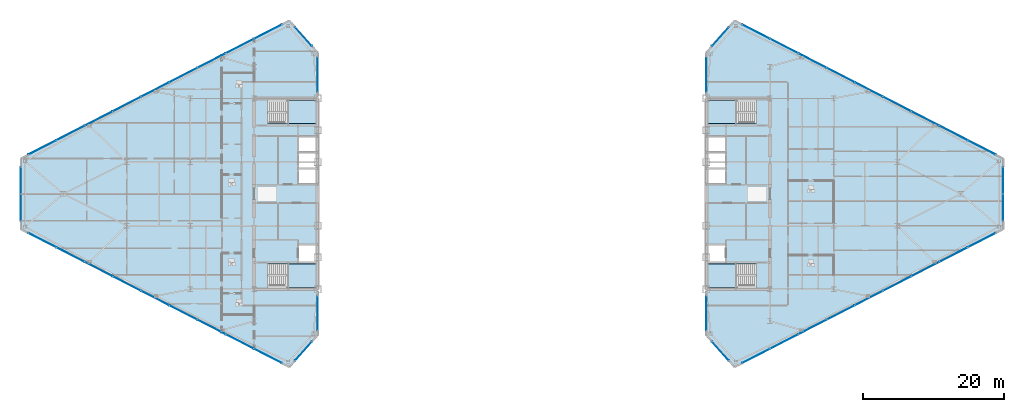
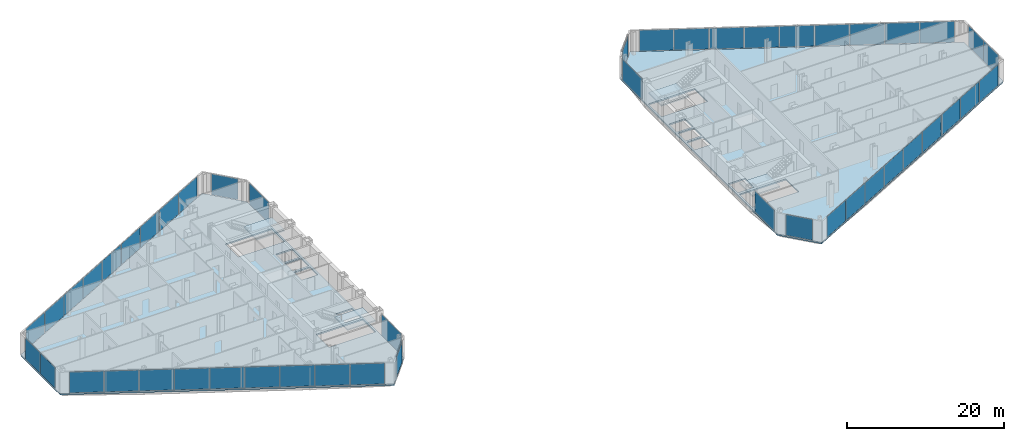
# One storey, part 14 of 23: 48 plates, 6 slabs, 18 elements without a shape of their own.
"""IFC4 building model written with IfcOpenShell, lengths in metres."""

from ifc_helpers import new_model, si_unit, direction, frame, origin, origin_2d, place, context, subcontext, project, spatial, polyline, rectangle, outline, extrude, source, transform, mapped, material, layer, layer_set, type_object, type_shapes, element, aggregate, save


model = new_model("IFC4")

# Units and contexts
model_context = context("Model", 3, precision=1e-05, world=origin(), true_north=direction((0.0, 1.0)))
body_context = subcontext(model_context, "Body", "Model", "MODEL_VIEW")
ifc_project = project(units=[si_unit("LENGTHUNIT", "METRE"), si_unit("AREAUNIT", "SQUARE_METRE"), si_unit("VOLUMEUNIT", "CUBIC_METRE"), si_unit("PLANEANGLEUNIT", "RADIAN"), si_unit("MASSUNIT", "GRAM", prefix="KILO")], contexts=[model_context])

# Site, building, storey
site_placement = place(None, origin())
site = spatial("IfcSite", under=ifc_project, at=site_placement, CompositionType="ELEMENT")
building_placement = place(site_placement, origin())
building = spatial("IfcBuilding", under=site, at=building_placement, Name="Seokmaru Belvedere", CompositionType="ELEMENT")
storey_placement = place(building_placement, frame((0.0, 0.0, 144.0)))
storey = spatial("IfcBuildingStorey", under=building, at=storey_placement, Name="L38", CompositionType="ELEMENT", Elevation=144.0)

# Stair, slab
ifc_material_1 = material(Name="Concrete C40 (40 MPa)", Category="concrete")
stair_type = type_object("IfcStairType", Name="Typical Tower Core Dog-Leg Stair 3600", PredefinedType="TWO_STRAIGHT_RUN_STAIR", material=ifc_material_1)
stair_1_placement = place(storey_placement, origin())
stair_1 = element("IfcStair", 1, at=stair_1_placement, inside=storey, type_object=stair_type, Name="L38 Special Escape Stair ST-W1", PredefinedType="TWO_STRAIGHT_RUN_STAIR")
ifc_layer_1 = layer(ifc_material_1, 0.199951171875)
ifc_layer_set_1 = layer_set([ifc_layer_1], Name="Concrete C40 (40 MPa)")
slab_type_1 = type_object("IfcSlabType", Name="Reinforced Concrete Stair Landing Slab 200", PredefinedType="LANDING", material=ifc_layer_set_1)
slab_1_placement = place(storey_placement, frame((0.0, 0.0, 1.60009765625)))
slab_1 = element("IfcSlab", 2, at=slab_1_placement, type_object=slab_type_1, Name="ST-W1 landing 1", PredefinedType="LANDING", context=body_context, shape_type="SweptSolid", body=[
    extrude(outline(polyline([(-31.8798828125, -13.239990234375), (-27.760009765625, -13.239990234375), (-27.760009765625, -9.949951171875), (-31.8798828125, -9.949951171875), (-31.8798828125, -13.239990234375)])), origin(), (0.0, 0.0, 1.0), 0.199951171875),
])
aggregate(stair_1, [slab_1])

stair_2_placement = place(storey_placement, origin())
stair_2 = element("IfcStair", 3, at=stair_2_placement, inside=storey, type_object=stair_type, Name="L38 Special Escape Stair ST-W2", PredefinedType="TWO_STRAIGHT_RUN_STAIR")
slab_2_placement = place(storey_placement, frame((0.0, 0.0, 1.60009765625)))
slab_2 = element("IfcSlab", 4, at=slab_2_placement, type_object=slab_type_1, Name="ST-W2 landing 1", PredefinedType="LANDING", context=body_context, shape_type="SweptSolid", body=[
    extrude(outline(polyline([(-31.8798828125, 9.949951171875), (-27.760009765625, 9.949951171875), (-27.760009765625, 13.239990234375), (-31.8798828125, 13.239990234375), (-31.8798828125, 9.949951171875)])), origin(), (0.0, 0.0, 1.0), 0.199951171875),
])
aggregate(stair_2, [slab_2])

stair_3_placement = place(storey_placement, origin())
stair_3 = element("IfcStair", 5, at=stair_3_placement, inside=storey, type_object=stair_type, Name="L38 Special Escape Stair ST-E1", PredefinedType="TWO_STRAIGHT_RUN_STAIR")
slab_3_placement = place(storey_placement, frame((0.0, 0.0, 1.60009765625)))
slab_3 = element("IfcSlab", 6, at=slab_3_placement, type_object=slab_type_1, Name="ST-E1 landing 1", PredefinedType="LANDING", context=body_context, shape_type="SweptSolid", body=[
    extrude(outline(polyline([(27.760009765625, -13.239990234375), (31.8798828125, -13.239990234375), (31.8798828125, -9.949951171875), (27.760009765625, -9.949951171875), (27.760009765625, -13.239990234375)])), origin(), (0.0, 0.0, 1.0), 0.199951171875),
])
aggregate(stair_3, [slab_3])

stair_4_placement = place(storey_placement, origin())
stair_4 = element("IfcStair", 7, at=stair_4_placement, inside=storey, type_object=stair_type, Name="L38 Special Escape Stair ST-E2", PredefinedType="TWO_STRAIGHT_RUN_STAIR")
slab_4_placement = place(storey_placement, frame((0.0, 0.0, 1.60009765625)))
slab_4 = element("IfcSlab", 8, at=slab_4_placement, type_object=slab_type_1, Name="ST-E2 landing 1", PredefinedType="LANDING", context=body_context, shape_type="SweptSolid", body=[
    extrude(outline(polyline([(27.760009765625, 9.949951171875), (31.8798828125, 9.949951171875), (31.8798828125, 13.239990234375), (27.760009765625, 13.239990234375), (27.760009765625, 9.949951171875)])), origin(), (0.0, 0.0, 1.0), 0.199951171875),
])
aggregate(stair_4, [slab_4])

# Slabs
ifc_layer_2 = layer(ifc_material_1, 0.219970703125)
ifc_layer_set_2 = layer_set([ifc_layer_2], Name="Concrete C40 (40 MPa)")
slab_type_2 = type_object("IfcSlabType", Name="Typical Tower Composite Floor Slab 220", PredefinedType="FLOOR", material=ifc_layer_set_2)
slab_5_placement = place(storey_placement, frame((0.0, 0.0, -0.219970703125)))
element("IfcSlab", 9, at=slab_5_placement, inside=storey, type_object=slab_type_2, Name="L38 West Leg Floor Slab", PredefinedType="FLOOR", context=body_context, shape_type="SweptSolid", body=[
    extrude(outline(polyline([(-27.5, -20.0), (-27.5, 20.0), (-31.5, 24.5), (-69.5, 5.0), (-69.5, -5.0), (-31.5, -24.5), (-27.5, -20.0)]), holes=[polyline([(-34.60009765625, -13.25), (-27.75, -13.25), (-27.75, -9.949951171875), (-34.60009765625, -9.949951171875), (-34.60009765625, -13.25)]), polyline([(-34.60009765625, 9.949951171875), (-27.75, 9.949951171875), (-27.75, 13.25), (-34.60009765625, 13.25), (-34.60009765625, 9.949951171875)]), polyline([(-30.14990234375, -9.550048828125), (-27.75, -9.550048828125), (-27.75, -7.25), (-30.14990234375, -7.25), (-30.14990234375, -9.550048828125)]), polyline([(-30.14990234375, 1.449951171875), (-27.75, 1.449951171875), (-27.75, 3.449951171875), (-30.14990234375, 3.449951171875), (-30.14990234375, 1.449951171875)]), polyline([(-30.14990234375, 3.75), (-27.75, 3.75), (-27.75, 5.75), (-30.14990234375, 5.75), (-30.14990234375, 3.75)]), polyline([(-30.14990234375, 6.050048828125), (-27.75, 6.050048828125), (-27.75, 8.050048828125), (-30.14990234375, 8.050048828125), (-30.14990234375, 6.050048828125)])]), origin(), (0.0, 0.0, 1.0), 0.219970703125),
])
slab_6_placement = place(storey_placement, frame((0.0, 0.0, -0.219970703125)))
element("IfcSlab", 10, at=slab_6_placement, inside=storey, type_object=slab_type_2, Name="L38 East Leg Floor Slab", PredefinedType="FLOOR", context=body_context, shape_type="SweptSolid", body=[
    extrude(outline(polyline([(31.5, -24.5), (69.5, -5.0), (69.5, 5.0), (31.5, 24.5), (27.5, 20.0), (27.5, -20.0), (31.5, -24.5)]), holes=[polyline([(27.75, -13.25), (34.60009765625, -13.25), (34.60009765625, -9.949951171875), (27.75, -9.949951171875), (27.75, -13.25)]), polyline([(27.75, 9.949951171875), (34.60009765625, 9.949951171875), (34.60009765625, 13.25), (27.75, 13.25), (27.75, 9.949951171875)]), polyline([(27.75, -9.550048828125), (30.14990234375, -9.550048828125), (30.14990234375, -7.25), (27.75, -7.25), (27.75, -9.550048828125)]), polyline([(27.75, 1.449951171875), (30.14990234375, 1.449951171875), (30.14990234375, 3.449951171875), (27.75, 3.449951171875), (27.75, 1.449951171875)]), polyline([(27.75, 3.75), (30.14990234375, 3.75), (30.14990234375, 5.75), (27.75, 5.75), (27.75, 3.75)]), polyline([(27.75, 6.050048828125), (30.14990234375, 6.050048828125), (30.14990234375, 8.050048828125), (27.75, 8.050048828125), (27.75, 6.050048828125)])]), origin(), (0.0, 0.0, 1.0), 0.219970703125),
])

# Curtain wall, plate
ifc_material_2 = material(Name="Bronze Triple Insulating Glass", Category="glass")
ifc_layer_3 = layer(ifc_material_2, 0.195068359375)
ifc_layer_set_3 = layer_set([ifc_layer_3], Name="Bronze Triple Insulating Glass")
curtain_wall_type = type_object("IfcCurtainWallType", Name="Sky-Lobby and Mid-Rise Curtain Wall System CW-4", PredefinedType="NOTDEFINED", material=ifc_layer_set_3)
curtain_wall_1_placement = place(storey_placement, origin())
curtain_wall_1 = element("IfcCurtainWall", 11, at=curtain_wall_1_placement, inside=storey, type_object=curtain_wall_type, Name="L38 Curtain Wall WF2", PredefinedType="NOTDEFINED")
ifc_layer_4 = layer(ifc_material_2, 0.035888671875)
ifc_layer_set_4 = layer_set([ifc_layer_4], Name="Bronze Triple Insulating Glass")
plate_type = type_object("IfcPlateType", Name="Bronze Triple Vision Glazing Panel 36", PredefinedType="CURTAIN_PANEL", material=ifc_layer_set_4)
shared_shape_1 = source(origin(), body_context, "Body", "SweptSolid", [
    extrude(rectangle(XDim=3.580810546875, YDim=0.035888671875, at=origin_2d()), origin(), (0.0, 0.0, 1.0), 3.25),
])
plate_1_placement = place(storey_placement, frame((-29.5, 22.25, 0.06494140625), z_axis=(0.0, 0.0, 1.0), x_axis=(-0.664363325694, 0.747409774804, 0.0)))
plate_1 = element("IfcPlate", 12, at=plate_1_placement, type_object=plate_type, Name="CW:L38:WF2 Glazing Panel 1-1", PredefinedType="CURTAIN_PANEL", context=body_context, shape_type="MappedRepresentation", body=[
    mapped(shared_shape_1, transform((0.0, 0.0, 0.0), scale=1.0)),
])
aggregate(curtain_wall_1, [plate_1])

curtain_wall_2_placement = place(storey_placement, origin())
curtain_wall_2 = element("IfcCurtainWall", 13, at=curtain_wall_2_placement, inside=storey, type_object=curtain_wall_type, Name="L38 Curtain Wall WF6", PredefinedType="NOTDEFINED")
plate_2_placement = place(storey_placement, frame((-29.5, -22.25, 0.06494140625), z_axis=(0.0, 0.0, 1.0), x_axis=(0.664363325694, 0.747409774804, 0.0)))
plate_2 = element("IfcPlate", 14, at=plate_2_placement, type_object=plate_type, Name="CW:L38:WF6 Glazing Panel 1-1", PredefinedType="CURTAIN_PANEL", context=body_context, shape_type="MappedRepresentation", body=[
    mapped(shared_shape_1, transform((0.0, 0.0, 0.0), scale=1.0)),
])
aggregate(curtain_wall_2, [plate_2])

curtain_wall_3_placement = place(storey_placement, origin())
curtain_wall_3 = element("IfcCurtainWall", 15, at=curtain_wall_3_placement, inside=storey, type_object=curtain_wall_type, Name="L38 Curtain Wall EF4", PredefinedType="NOTDEFINED")
plate_3_placement = place(storey_placement, frame((29.5, 22.25, 0.06494140625), z_axis=(0.0, 0.0, 1.0), x_axis=(-0.664363325694, -0.747409774804, 0.0)))
plate_3 = element("IfcPlate", 16, at=plate_3_placement, type_object=plate_type, Name="CW:L38:EF4 Glazing Panel 1-1", PredefinedType="CURTAIN_PANEL", context=body_context, shape_type="MappedRepresentation", body=[
    mapped(shared_shape_1, transform((0.0, 0.0, 0.0), scale=1.0)),
])
aggregate(curtain_wall_3, [plate_3])

curtain_wall_4_placement = place(storey_placement, origin())
curtain_wall_4 = element("IfcCurtainWall", 17, at=curtain_wall_4_placement, inside=storey, type_object=curtain_wall_type, Name="L38 Curtain Wall EF6", PredefinedType="NOTDEFINED")
plate_4_placement = place(storey_placement, frame((29.5, -22.25, 0.06494140625), z_axis=(0.0, 0.0, 1.0), x_axis=(0.664363325694, -0.747409774804, 0.0)))
plate_4 = element("IfcPlate", 18, at=plate_4_placement, type_object=plate_type, Name="CW:L38:EF6 Glazing Panel 1-1", PredefinedType="CURTAIN_PANEL", context=body_context, shape_type="MappedRepresentation", body=[
    mapped(shared_shape_1, transform((0.0, 0.0, 0.0), scale=1.0)),
])
aggregate(curtain_wall_4, [plate_4])

# Curtain wall, plates
curtain_wall_5_placement = place(storey_placement, origin())
curtain_wall_5 = element("IfcCurtainWall", 19, at=curtain_wall_5_placement, inside=storey, type_object=curtain_wall_type, Name="L38 Curtain Wall WF3", PredefinedType="NOTDEFINED")
shared_shape_2 = source(origin(), body_context, "Body", "SweptSolid", [
    extrude(rectangle(XDim=4.38525390625, YDim=0.035888671875, at=origin_2d()), origin(), (0.0, 0.0, 1.0), 3.25),
])
plate_5_placement = place(storey_placement, frame((-34.5361328125, 22.94189453125, 0.06494140625), z_axis=(0.0, 0.0, 1.0), x_axis=(-0.889695432562, -0.456554528263, 0.0)))
plate_5 = element("IfcPlate", 20, at=plate_5_placement, type_object=plate_type, Name="CW:L38:WF3 Glazing Panel 1-1", PredefinedType="CURTAIN_PANEL", context=body_context, shape_type="MappedRepresentation", body=[
    mapped(shared_shape_2, transform((0.0, 0.0, 0.0), scale=1.0)),
])
plate_6_placement = place(storey_placement, frame((-66.4638671875, 6.55810546875, 0.06494140625), z_axis=(0.0, 0.0, 1.0), x_axis=(-0.889695432562, -0.456554528263, 0.0)))
plate_6 = element("IfcPlate", 21, at=plate_6_placement, type_object=plate_type, Name="CW:L38:WF3 Glazing Panel 9-1", PredefinedType="CURTAIN_PANEL", context=body_context, shape_type="MappedRepresentation", body=[
    mapped(shared_shape_2, transform((0.0, 0.0, 0.0), scale=1.0)),
])

curtain_wall_6_placement = place(storey_placement, origin())
curtain_wall_6 = element("IfcCurtainWall", 22, at=curtain_wall_6_placement, inside=storey, type_object=curtain_wall_type, Name="L38 Curtain Wall WF5", PredefinedType="NOTDEFINED")
plate_7_placement = place(storey_placement, frame((-66.4638671875, -6.55810546875, 0.06494140625), z_axis=(0.0, 0.0, 1.0), x_axis=(0.889695432562, -0.456554528263, 0.0)))
plate_7 = element("IfcPlate", 23, at=plate_7_placement, type_object=plate_type, Name="CW:L38:WF5 Glazing Panel 1-1", PredefinedType="CURTAIN_PANEL", context=body_context, shape_type="MappedRepresentation", body=[
    mapped(shared_shape_2, transform((0.0, 0.0, 0.0), scale=1.0)),
])
plate_8_placement = place(storey_placement, frame((-34.5361328125, -22.94189453125, 0.06494140625), z_axis=(0.0, 0.0, 1.0), x_axis=(0.889695432562, -0.456554528263, 0.0)))
plate_8 = element("IfcPlate", 24, at=plate_8_placement, type_object=plate_type, Name="CW:L38:WF5 Glazing Panel 9-1", PredefinedType="CURTAIN_PANEL", context=body_context, shape_type="MappedRepresentation", body=[
    mapped(shared_shape_2, transform((0.0, 0.0, 0.0), scale=1.0)),
])

curtain_wall_7_placement = place(storey_placement, origin())
curtain_wall_7 = element("IfcCurtainWall", 25, at=curtain_wall_7_placement, inside=storey, type_object=curtain_wall_type, Name="L38 Curtain Wall EF1", PredefinedType="NOTDEFINED")
plate_9_placement = place(storey_placement, frame((34.5361328125, -22.94189453125, 0.06494140625), z_axis=(0.0, 0.0, 1.0), x_axis=(0.889695432562, 0.456554528263, 0.0)))
plate_9 = element("IfcPlate", 26, at=plate_9_placement, type_object=plate_type, Name="CW:L38:EF1 Glazing Panel 1-1", PredefinedType="CURTAIN_PANEL", context=body_context, shape_type="MappedRepresentation", body=[
    mapped(shared_shape_2, transform((0.0, 0.0, 0.0), scale=1.0)),
])
plate_10_placement = place(storey_placement, frame((66.4638671875, -6.55810546875, 0.06494140625), z_axis=(0.0, 0.0, 1.0), x_axis=(0.889695432562, 0.456554528263, 0.0)))
plate_10 = element("IfcPlate", 27, at=plate_10_placement, type_object=plate_type, Name="CW:L38:EF1 Glazing Panel 9-1", PredefinedType="CURTAIN_PANEL", context=body_context, shape_type="MappedRepresentation", body=[
    mapped(shared_shape_2, transform((0.0, 0.0, 0.0), scale=1.0)),
])

curtain_wall_8_placement = place(storey_placement, origin())
curtain_wall_8 = element("IfcCurtainWall", 28, at=curtain_wall_8_placement, inside=storey, type_object=curtain_wall_type, Name="L38 Curtain Wall EF3", PredefinedType="NOTDEFINED")
plate_11_placement = place(storey_placement, frame((66.4638671875, 6.55810546875, 0.06494140625), z_axis=(0.0, 0.0, 1.0), x_axis=(-0.889695432562, 0.456554528263, 0.0)))
plate_11 = element("IfcPlate", 29, at=plate_11_placement, type_object=plate_type, Name="CW:L38:EF3 Glazing Panel 1-1", PredefinedType="CURTAIN_PANEL", context=body_context, shape_type="MappedRepresentation", body=[
    mapped(shared_shape_2, transform((0.0, 0.0, 0.0), scale=1.0)),
])
plate_12_placement = place(storey_placement, frame((34.5361328125, 22.94189453125, 0.06494140625), z_axis=(0.0, 0.0, 1.0), x_axis=(-0.889695432562, 0.456554528263, 0.0)))
plate_12 = element("IfcPlate", 30, at=plate_12_placement, type_object=plate_type, Name="CW:L38:EF3 Glazing Panel 9-1", PredefinedType="CURTAIN_PANEL", context=body_context, shape_type="MappedRepresentation", body=[
    mapped(shared_shape_2, transform((0.0, 0.0, 0.0), scale=1.0)),
])

# Plate
shared_shape_3 = source(origin(), body_context, "Body", "SweptSolid", [
    extrude(rectangle(XDim=4.420166015625, YDim=0.035888671875, at=origin_2d()), origin(), (0.0, 0.0, 1.0), 3.25),
])
plate_13_placement = place(storey_placement, frame((-38.515380859375, 20.89990234375, 0.06494140625), z_axis=(0.0, 0.0, 1.0), x_axis=(-0.889695432562, -0.456554528263, 0.0)))
plate_13 = element("IfcPlate", 31, at=plate_13_placement, type_object=plate_type, Name="CW:L38:WF3 Glazing Panel 2-1", PredefinedType="CURTAIN_PANEL", context=body_context, shape_type="MappedRepresentation", body=[
    mapped(shared_shape_3, transform((0.0, 0.0, 0.0), scale=1.0)),
])

plate_14_placement = place(storey_placement, frame((-42.51025390625, 18.85009765625, 0.06494140625), z_axis=(0.0, 0.0, 1.0), x_axis=(-0.889695432562, -0.456554528263, 0.0)))
plate_14 = element("IfcPlate", 32, at=plate_14_placement, type_object=plate_type, Name="CW:L38:WF3 Glazing Panel 3-1", PredefinedType="CURTAIN_PANEL", context=body_context, shape_type="MappedRepresentation", body=[
    mapped(shared_shape_3, transform((0.0, 0.0, 0.0), scale=1.0)),
])

plate_15_placement = place(storey_placement, frame((-46.505126953125, 16.800048828125, 0.06494140625), z_axis=(0.0, 0.0, 1.0), x_axis=(-0.889695432562, -0.456554528263, 0.0)))
plate_15 = element("IfcPlate", 33, at=plate_15_placement, type_object=plate_type, Name="CW:L38:WF3 Glazing Panel 4-1", PredefinedType="CURTAIN_PANEL", context=body_context, shape_type="MappedRepresentation", body=[
    mapped(shared_shape_3, transform((0.0, 0.0, 0.0), scale=1.0)),
])

plate_16_placement = place(storey_placement, frame((-50.5, 14.75, 0.06494140625), z_axis=(0.0, 0.0, 1.0), x_axis=(-0.889695432562, -0.456554528263, 0.0)))
plate_16 = element("IfcPlate", 34, at=plate_16_placement, type_object=plate_type, Name="CW:L38:WF3 Glazing Panel 5-1", PredefinedType="CURTAIN_PANEL", context=body_context, shape_type="MappedRepresentation", body=[
    mapped(shared_shape_3, transform((0.0, 0.0, 0.0), scale=1.0)),
])

plate_17_placement = place(storey_placement, frame((-54.494873046875, 12.699951171875, 0.06494140625), z_axis=(0.0, 0.0, 1.0), x_axis=(-0.889695432562, -0.456554528263, 0.0)))
plate_17 = element("IfcPlate", 35, at=plate_17_placement, type_object=plate_type, Name="CW:L38:WF3 Glazing Panel 6-1", PredefinedType="CURTAIN_PANEL", context=body_context, shape_type="MappedRepresentation", body=[
    mapped(shared_shape_3, transform((0.0, 0.0, 0.0), scale=1.0)),
])

plate_18_placement = place(storey_placement, frame((-58.48974609375, 10.64990234375, 0.06494140625), z_axis=(0.0, 0.0, 1.0), x_axis=(-0.889695432562, -0.456554528263, 0.0)))
plate_18 = element("IfcPlate", 36, at=plate_18_placement, type_object=plate_type, Name="CW:L38:WF3 Glazing Panel 7-1", PredefinedType="CURTAIN_PANEL", context=body_context, shape_type="MappedRepresentation", body=[
    mapped(shared_shape_3, transform((0.0, 0.0, 0.0), scale=1.0)),
])

plate_19_placement = place(storey_placement, frame((-62.484619140625, 8.60009765625, 0.06494140625), z_axis=(0.0, 0.0, 1.0), x_axis=(-0.889695432562, -0.456554528263, 0.0)))
plate_19 = element("IfcPlate", 37, at=plate_19_placement, type_object=plate_type, Name="CW:L38:WF3 Glazing Panel 8-1", PredefinedType="CURTAIN_PANEL", context=body_context, shape_type="MappedRepresentation", body=[
    mapped(shared_shape_3, transform((0.0, 0.0, 0.0), scale=1.0)),
])

aggregate(curtain_wall_5, [plate_5, plate_13, plate_14, plate_15, plate_16, plate_17, plate_18, plate_19, plate_6])

plate_20_placement = place(storey_placement, frame((-62.484619140625, -8.60009765625, 0.06494140625), z_axis=(0.0, 0.0, 1.0), x_axis=(0.889695432562, -0.456554528263, 0.0)))
plate_20 = element("IfcPlate", 38, at=plate_20_placement, type_object=plate_type, Name="CW:L38:WF5 Glazing Panel 2-1", PredefinedType="CURTAIN_PANEL", context=body_context, shape_type="MappedRepresentation", body=[
    mapped(shared_shape_3, transform((0.0, 0.0, 0.0), scale=1.0)),
])

plate_21_placement = place(storey_placement, frame((-58.48974609375, -10.64990234375, 0.06494140625), z_axis=(0.0, 0.0, 1.0), x_axis=(0.889695432562, -0.456554528263, 0.0)))
plate_21 = element("IfcPlate", 39, at=plate_21_placement, type_object=plate_type, Name="CW:L38:WF5 Glazing Panel 3-1", PredefinedType="CURTAIN_PANEL", context=body_context, shape_type="MappedRepresentation", body=[
    mapped(shared_shape_3, transform((0.0, 0.0, 0.0), scale=1.0)),
])

plate_22_placement = place(storey_placement, frame((-54.494873046875, -12.699951171875, 0.06494140625), z_axis=(0.0, 0.0, 1.0), x_axis=(0.889695432562, -0.456554528263, 0.0)))
plate_22 = element("IfcPlate", 40, at=plate_22_placement, type_object=plate_type, Name="CW:L38:WF5 Glazing Panel 4-1", PredefinedType="CURTAIN_PANEL", context=body_context, shape_type="MappedRepresentation", body=[
    mapped(shared_shape_3, transform((0.0, 0.0, 0.0), scale=1.0)),
])

plate_23_placement = place(storey_placement, frame((-50.5, -14.75, 0.06494140625), z_axis=(0.0, 0.0, 1.0), x_axis=(0.889695432562, -0.456554528263, 0.0)))
plate_23 = element("IfcPlate", 41, at=plate_23_placement, type_object=plate_type, Name="CW:L38:WF5 Glazing Panel 5-1", PredefinedType="CURTAIN_PANEL", context=body_context, shape_type="MappedRepresentation", body=[
    mapped(shared_shape_3, transform((0.0, 0.0, 0.0), scale=1.0)),
])

plate_24_placement = place(storey_placement, frame((-46.505126953125, -16.800048828125, 0.06494140625), z_axis=(0.0, 0.0, 1.0), x_axis=(0.889695432562, -0.456554528263, 0.0)))
plate_24 = element("IfcPlate", 42, at=plate_24_placement, type_object=plate_type, Name="CW:L38:WF5 Glazing Panel 6-1", PredefinedType="CURTAIN_PANEL", context=body_context, shape_type="MappedRepresentation", body=[
    mapped(shared_shape_3, transform((0.0, 0.0, 0.0), scale=1.0)),
])

plate_25_placement = place(storey_placement, frame((-42.51025390625, -18.85009765625, 0.06494140625), z_axis=(0.0, 0.0, 1.0), x_axis=(0.889695432562, -0.456554528263, 0.0)))
plate_25 = element("IfcPlate", 43, at=plate_25_placement, type_object=plate_type, Name="CW:L38:WF5 Glazing Panel 7-1", PredefinedType="CURTAIN_PANEL", context=body_context, shape_type="MappedRepresentation", body=[
    mapped(shared_shape_3, transform((0.0, 0.0, 0.0), scale=1.0)),
])

plate_26_placement = place(storey_placement, frame((-38.515380859375, -20.89990234375, 0.06494140625), z_axis=(0.0, 0.0, 1.0), x_axis=(0.889695432562, -0.456554528263, 0.0)))
plate_26 = element("IfcPlate", 44, at=plate_26_placement, type_object=plate_type, Name="CW:L38:WF5 Glazing Panel 8-1", PredefinedType="CURTAIN_PANEL", context=body_context, shape_type="MappedRepresentation", body=[
    mapped(shared_shape_3, transform((0.0, 0.0, 0.0), scale=1.0)),
])

aggregate(curtain_wall_6, [plate_7, plate_20, plate_21, plate_22, plate_23, plate_24, plate_25, plate_26, plate_8])

plate_27_placement = place(storey_placement, frame((38.515380859375, -20.89990234375, 0.06494140625), z_axis=(0.0, 0.0, 1.0), x_axis=(0.889695432562, 0.456554528263, 0.0)))
plate_27 = element("IfcPlate", 45, at=plate_27_placement, type_object=plate_type, Name="CW:L38:EF1 Glazing Panel 2-1", PredefinedType="CURTAIN_PANEL", context=body_context, shape_type="MappedRepresentation", body=[
    mapped(shared_shape_3, transform((0.0, 0.0, 0.0), scale=1.0)),
])

plate_28_placement = place(storey_placement, frame((42.51025390625, -18.85009765625, 0.06494140625), z_axis=(0.0, 0.0, 1.0), x_axis=(0.889695432562, 0.456554528263, 0.0)))
plate_28 = element("IfcPlate", 46, at=plate_28_placement, type_object=plate_type, Name="CW:L38:EF1 Glazing Panel 3-1", PredefinedType="CURTAIN_PANEL", context=body_context, shape_type="MappedRepresentation", body=[
    mapped(shared_shape_3, transform((0.0, 0.0, 0.0), scale=1.0)),
])

plate_29_placement = place(storey_placement, frame((46.505126953125, -16.800048828125, 0.06494140625), z_axis=(0.0, 0.0, 1.0), x_axis=(0.889695432562, 0.456554528263, 0.0)))
plate_29 = element("IfcPlate", 47, at=plate_29_placement, type_object=plate_type, Name="CW:L38:EF1 Glazing Panel 4-1", PredefinedType="CURTAIN_PANEL", context=body_context, shape_type="MappedRepresentation", body=[
    mapped(shared_shape_3, transform((0.0, 0.0, 0.0), scale=1.0)),
])

plate_30_placement = place(storey_placement, frame((50.5, -14.75, 0.06494140625), z_axis=(0.0, 0.0, 1.0), x_axis=(0.889695432562, 0.456554528263, 0.0)))
plate_30 = element("IfcPlate", 48, at=plate_30_placement, type_object=plate_type, Name="CW:L38:EF1 Glazing Panel 5-1", PredefinedType="CURTAIN_PANEL", context=body_context, shape_type="MappedRepresentation", body=[
    mapped(shared_shape_3, transform((0.0, 0.0, 0.0), scale=1.0)),
])

plate_31_placement = place(storey_placement, frame((54.494873046875, -12.699951171875, 0.06494140625), z_axis=(0.0, 0.0, 1.0), x_axis=(0.889695432562, 0.456554528263, 0.0)))
plate_31 = element("IfcPlate", 49, at=plate_31_placement, type_object=plate_type, Name="CW:L38:EF1 Glazing Panel 6-1", PredefinedType="CURTAIN_PANEL", context=body_context, shape_type="MappedRepresentation", body=[
    mapped(shared_shape_3, transform((0.0, 0.0, 0.0), scale=1.0)),
])

plate_32_placement = place(storey_placement, frame((58.48974609375, -10.64990234375, 0.06494140625), z_axis=(0.0, 0.0, 1.0), x_axis=(0.889695432562, 0.456554528263, 0.0)))
plate_32 = element("IfcPlate", 50, at=plate_32_placement, type_object=plate_type, Name="CW:L38:EF1 Glazing Panel 7-1", PredefinedType="CURTAIN_PANEL", context=body_context, shape_type="MappedRepresentation", body=[
    mapped(shared_shape_3, transform((0.0, 0.0, 0.0), scale=1.0)),
])

plate_33_placement = place(storey_placement, frame((62.484619140625, -8.60009765625, 0.06494140625), z_axis=(0.0, 0.0, 1.0), x_axis=(0.889695432562, 0.456554528263, 0.0)))
plate_33 = element("IfcPlate", 51, at=plate_33_placement, type_object=plate_type, Name="CW:L38:EF1 Glazing Panel 8-1", PredefinedType="CURTAIN_PANEL", context=body_context, shape_type="MappedRepresentation", body=[
    mapped(shared_shape_3, transform((0.0, 0.0, 0.0), scale=1.0)),
])

aggregate(curtain_wall_7, [plate_9, plate_27, plate_28, plate_29, plate_30, plate_31, plate_32, plate_33, plate_10])

plate_34_placement = place(storey_placement, frame((62.484619140625, 8.60009765625, 0.06494140625), z_axis=(0.0, 0.0, 1.0), x_axis=(-0.889695432562, 0.456554528263, 0.0)))
plate_34 = element("IfcPlate", 52, at=plate_34_placement, type_object=plate_type, Name="CW:L38:EF3 Glazing Panel 2-1", PredefinedType="CURTAIN_PANEL", context=body_context, shape_type="MappedRepresentation", body=[
    mapped(shared_shape_3, transform((0.0, 0.0, 0.0), scale=1.0)),
])

plate_35_placement = place(storey_placement, frame((58.48974609375, 10.64990234375, 0.06494140625), z_axis=(0.0, 0.0, 1.0), x_axis=(-0.889695432562, 0.456554528263, 0.0)))
plate_35 = element("IfcPlate", 53, at=plate_35_placement, type_object=plate_type, Name="CW:L38:EF3 Glazing Panel 3-1", PredefinedType="CURTAIN_PANEL", context=body_context, shape_type="MappedRepresentation", body=[
    mapped(shared_shape_3, transform((0.0, 0.0, 0.0), scale=1.0)),
])

plate_36_placement = place(storey_placement, frame((54.494873046875, 12.699951171875, 0.06494140625), z_axis=(0.0, 0.0, 1.0), x_axis=(-0.889695432562, 0.456554528263, 0.0)))
plate_36 = element("IfcPlate", 54, at=plate_36_placement, type_object=plate_type, Name="CW:L38:EF3 Glazing Panel 4-1", PredefinedType="CURTAIN_PANEL", context=body_context, shape_type="MappedRepresentation", body=[
    mapped(shared_shape_3, transform((0.0, 0.0, 0.0), scale=1.0)),
])

plate_37_placement = place(storey_placement, frame((50.5, 14.75, 0.06494140625), z_axis=(0.0, 0.0, 1.0), x_axis=(-0.889695432562, 0.456554528263, 0.0)))
plate_37 = element("IfcPlate", 55, at=plate_37_placement, type_object=plate_type, Name="CW:L38:EF3 Glazing Panel 5-1", PredefinedType="CURTAIN_PANEL", context=body_context, shape_type="MappedRepresentation", body=[
    mapped(shared_shape_3, transform((0.0, 0.0, 0.0), scale=1.0)),
])

plate_38_placement = place(storey_placement, frame((46.505126953125, 16.800048828125, 0.06494140625), z_axis=(0.0, 0.0, 1.0), x_axis=(-0.889695432562, 0.456554528263, 0.0)))
plate_38 = element("IfcPlate", 56, at=plate_38_placement, type_object=plate_type, Name="CW:L38:EF3 Glazing Panel 6-1", PredefinedType="CURTAIN_PANEL", context=body_context, shape_type="MappedRepresentation", body=[
    mapped(shared_shape_3, transform((0.0, 0.0, 0.0), scale=1.0)),
])

plate_39_placement = place(storey_placement, frame((42.51025390625, 18.85009765625, 0.06494140625), z_axis=(0.0, 0.0, 1.0), x_axis=(-0.889695432562, 0.456554528263, 0.0)))
plate_39 = element("IfcPlate", 57, at=plate_39_placement, type_object=plate_type, Name="CW:L38:EF3 Glazing Panel 7-1", PredefinedType="CURTAIN_PANEL", context=body_context, shape_type="MappedRepresentation", body=[
    mapped(shared_shape_3, transform((0.0, 0.0, 0.0), scale=1.0)),
])

plate_40_placement = place(storey_placement, frame((38.515380859375, 20.89990234375, 0.06494140625), z_axis=(0.0, 0.0, 1.0), x_axis=(-0.889695432562, 0.456554528263, 0.0)))
plate_40 = element("IfcPlate", 58, at=plate_40_placement, type_object=plate_type, Name="CW:L38:EF3 Glazing Panel 8-1", PredefinedType="CURTAIN_PANEL", context=body_context, shape_type="MappedRepresentation", body=[
    mapped(shared_shape_3, transform((0.0, 0.0, 0.0), scale=1.0)),
])

aggregate(curtain_wall_8, [plate_11, plate_34, plate_35, plate_36, plate_37, plate_38, plate_39, plate_40, plate_12])

# Curtain wall, plates
curtain_wall_9_placement = place(storey_placement, origin())
curtain_wall_9 = element("IfcCurtainWall", 59, at=curtain_wall_9_placement, inside=storey, type_object=curtain_wall_type, Name="L38 Curtain Wall WF4", PredefinedType="NOTDEFINED")
shared_shape_4 = source(origin(), body_context, "Body", "SweptSolid", [
    extrude(rectangle(XDim=3.7451171875, YDim=0.035888671875, at=origin_2d()), origin(), (0.0, 0.0, 1.0), 3.25),
])
plate_41_placement = place(storey_placement, frame((-69.5, 1.907470703125, 0.06494140625), z_axis=(0.0, 0.0, 1.0), x_axis=(0.0, -1.0, 0.0)))
plate_41 = element("IfcPlate", 60, at=plate_41_placement, type_object=plate_type, Name="CW:L38:WF4 Glazing Panel 1-1", PredefinedType="CURTAIN_PANEL", context=body_context, shape_type="MappedRepresentation", body=[
    mapped(shared_shape_4, transform((0.0, 0.0, 0.0), scale=1.0)),
])
plate_42_placement = place(storey_placement, frame((-69.5, -1.907470703125, 0.06494140625), z_axis=(0.0, 0.0, 1.0), x_axis=(0.0, -1.0, 0.0)))
plate_42 = element("IfcPlate", 61, at=plate_42_placement, type_object=plate_type, Name="CW:L38:WF4 Glazing Panel 2-1", PredefinedType="CURTAIN_PANEL", context=body_context, shape_type="MappedRepresentation", body=[
    mapped(shared_shape_4, transform((0.0, 0.0, 0.0), scale=1.0)),
])
aggregate(curtain_wall_9, [plate_41, plate_42])

curtain_wall_10_placement = place(storey_placement, origin())
curtain_wall_10 = element("IfcCurtainWall", 62, at=curtain_wall_10_placement, inside=storey, type_object=curtain_wall_type, Name="L38 Curtain Wall EF2", PredefinedType="NOTDEFINED")
plate_43_placement = place(storey_placement, frame((69.5, -1.907470703125, 0.06494140625), z_axis=(0.0, 0.0, 1.0), x_axis=(0.0, 1.0, 0.0)))
plate_43 = element("IfcPlate", 63, at=plate_43_placement, type_object=plate_type, Name="CW:L38:EF2 Glazing Panel 1-1", PredefinedType="CURTAIN_PANEL", context=body_context, shape_type="MappedRepresentation", body=[
    mapped(shared_shape_4, transform((0.0, 0.0, 0.0), scale=1.0)),
])
plate_44_placement = place(storey_placement, frame((69.5, 1.907470703125, 0.06494140625), z_axis=(0.0, 0.0, 1.0), x_axis=(0.0, 1.0, 0.0)))
plate_44 = element("IfcPlate", 64, at=plate_44_placement, type_object=plate_type, Name="CW:L38:EF2 Glazing Panel 2-1", PredefinedType="CURTAIN_PANEL", context=body_context, shape_type="MappedRepresentation", body=[
    mapped(shared_shape_4, transform((0.0, 0.0, 0.0), scale=1.0)),
])
aggregate(curtain_wall_10, [plate_43, plate_44])

# Curtain wall, plate
curtain_wall_11_placement = place(storey_placement, origin())
curtain_wall_11 = element("IfcCurtainWall", 65, at=curtain_wall_11_placement, inside=storey, type_object=curtain_wall_type, Name="L38 Curtain Wall WSP_1", PredefinedType="NOTDEFINED")
shared_shape_5 = source(origin(), body_context, "Body", "SweptSolid", [
    extrude(rectangle(XDim=4.9599609375, YDim=0.035888671875, at=origin_2d()), origin(), (0.0, 0.0, 1.0), 3.25),
])
type_shapes(plate_type, [shared_shape_1, shared_shape_2, shared_shape_3, shared_shape_4, shared_shape_5])
plate_45_placement = place(storey_placement, frame((-27.5, -16.8798828125, 0.06494140625), z_axis=(0.0, 0.0, 1.0), x_axis=(0.0, 1.0, 0.0)))
plate_45 = element("IfcPlate", 66, at=plate_45_placement, type_object=plate_type, Name="CW:L38:WSP_1 Glazing Panel 1-1", PredefinedType="CURTAIN_PANEL", context=body_context, shape_type="MappedRepresentation", body=[
    mapped(shared_shape_5, transform((0.0, 0.0, 0.0), scale=1.0)),
])
aggregate(curtain_wall_11, [plate_45])

curtain_wall_12_placement = place(storey_placement, origin())
curtain_wall_12 = element("IfcCurtainWall", 67, at=curtain_wall_12_placement, inside=storey, type_object=curtain_wall_type, Name="L38 Curtain Wall WSP_2", PredefinedType="NOTDEFINED")
plate_46_placement = place(storey_placement, frame((-27.5, 16.8798828125, 0.06494140625), z_axis=(0.0, 0.0, 1.0), x_axis=(0.0, 1.0, 0.0)))
plate_46 = element("IfcPlate", 68, at=plate_46_placement, type_object=plate_type, Name="CW:L38:WSP_2 Glazing Panel 1-1", PredefinedType="CURTAIN_PANEL", context=body_context, shape_type="MappedRepresentation", body=[
    mapped(shared_shape_5, transform((0.0, 0.0, 0.0), scale=1.0)),
])
aggregate(curtain_wall_12, [plate_46])

curtain_wall_13_placement = place(storey_placement, origin())
curtain_wall_13 = element("IfcCurtainWall", 69, at=curtain_wall_13_placement, inside=storey, type_object=curtain_wall_type, Name="L38 Curtain Wall ESP_1", PredefinedType="NOTDEFINED")
plate_47_placement = place(storey_placement, frame((27.5, -16.8798828125, 0.06494140625), z_axis=(0.0, 0.0, 1.0), x_axis=(0.0, -1.0, 0.0)))
plate_47 = element("IfcPlate", 70, at=plate_47_placement, type_object=plate_type, Name="CW:L38:ESP_1 Glazing Panel 1-1", PredefinedType="CURTAIN_PANEL", context=body_context, shape_type="MappedRepresentation", body=[
    mapped(shared_shape_5, transform((0.0, 0.0, 0.0), scale=1.0)),
])
aggregate(curtain_wall_13, [plate_47])

curtain_wall_14_placement = place(storey_placement, origin())
curtain_wall_14 = element("IfcCurtainWall", 71, at=curtain_wall_14_placement, inside=storey, type_object=curtain_wall_type, Name="L38 Curtain Wall ESP_2", PredefinedType="NOTDEFINED")
plate_48_placement = place(storey_placement, frame((27.5, 16.8798828125, 0.06494140625), z_axis=(0.0, 0.0, 1.0), x_axis=(0.0, -1.0, 0.0)))
plate_48 = element("IfcPlate", 72, at=plate_48_placement, type_object=plate_type, Name="CW:L38:ESP_2 Glazing Panel 1-1", PredefinedType="CURTAIN_PANEL", context=body_context, shape_type="MappedRepresentation", body=[
    mapped(shared_shape_5, transform((0.0, 0.0, 0.0), scale=1.0)),
])
aggregate(curtain_wall_14, [plate_48])

save(model, "model.ifc")
